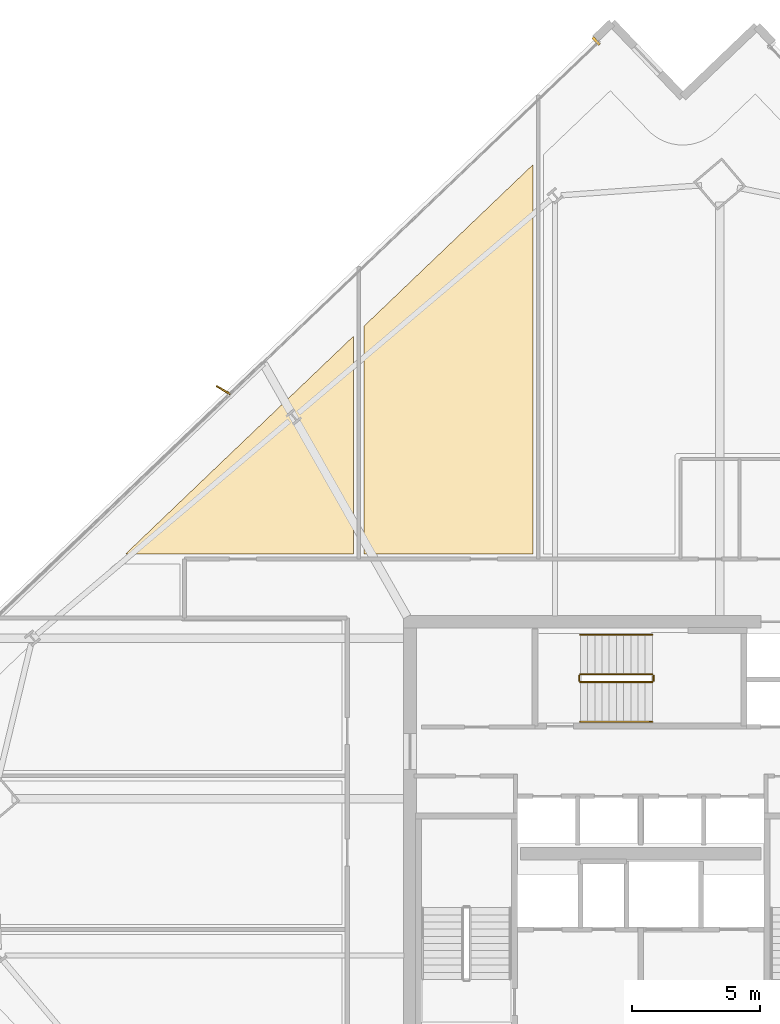
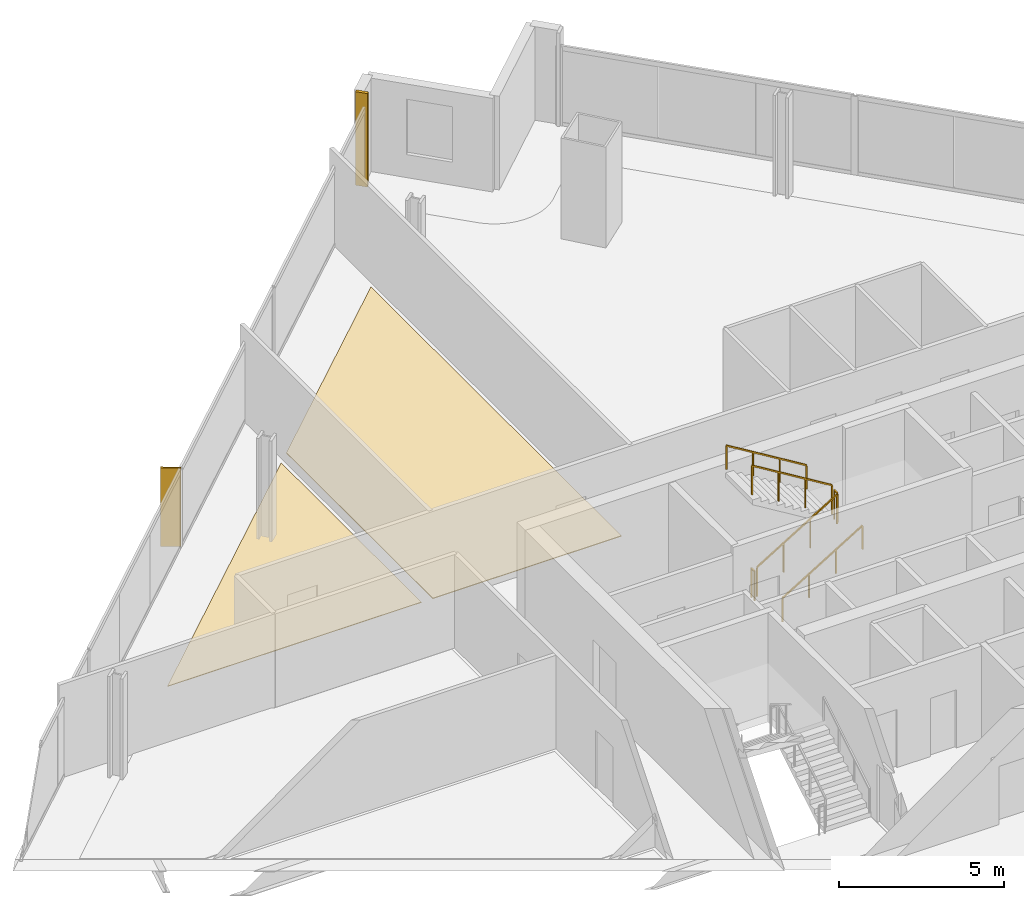
# One storey, part 32 of 33: 6 railings, 3 coverings, 1 shading device.
"""IFC4 building model written with IfcOpenShell, lengths in metres."""

from ifc_helpers import new_model, si_unit, direction, frame, origin, origin_2d, place, context, subcontext, project, spatial, polyline, rectangle, outline, extrude, source, transform, mapped, material, layer, layer_set, type_object, element, save


model = new_model("IFC4")

# Units and contexts
model_context = context("Model", 3, precision=1e-05, world=origin(), true_north=direction((0.0, 1.0)))
body_context = subcontext(model_context, "Body", "Model", "MODEL_VIEW")
ifc_project = project(units=[si_unit("LENGTHUNIT", "METRE"), si_unit("AREAUNIT", "SQUARE_METRE"), si_unit("VOLUMEUNIT", "CUBIC_METRE"), si_unit("PLANEANGLEUNIT", "RADIAN"), si_unit("MASSUNIT", "GRAM", prefix="KILO")], contexts=[model_context])

# Site, building, storey
site_placement = place(None, origin())
site = spatial("IfcSite", under=ifc_project, at=site_placement, CompositionType="ELEMENT")
building_placement = place(site_placement, origin())
building = spatial("IfcBuilding", under=site, at=building_placement, Name="Haldenkirk Collegiate Tower", CompositionType="ELEMENT")
storey_placement = place(building_placement, frame((0.0, 0.0, 174.449951171875)))
storey = spatial("IfcBuildingStorey", under=building, at=storey_placement, Name="L43", CompositionType="ELEMENT", Elevation=174.449951171875)

# Coverings
ifc_material_1 = material(Name="Polished collegiate terrazzo", Category="concrete")
ifc_layer_1 = layer(ifc_material_1, 0.02490234375)
ifc_layer_set_1 = layer_set([ifc_layer_1], Name="Polished collegiate terrazzo")
covering_type_1 = type_object("IfcCoveringType", Name="COV-FLOOR-TERRAZZO", PredefinedType="FLOORING", material=ifc_layer_set_1)
covering_1_placement = place(storey_placement, origin())
element("IfcCovering", 1, at=covering_1_placement, inside=storey, type_object=covering_type_1, Name="L43 academic room finish 06", PredefinedType="FLOORING", context=body_context, shape_type="SweptSolid", body=[
    extrude(outline(polyline([(31.800048828125, 51.835693359375), (31.800048828125, 36.64990234375), (25.199951171875, 36.64990234375), (25.199951171875, 45.528564453125), (31.800048828125, 51.835693359375)])), origin(), (0.0, 0.0, 1.0), 0.025146484375),
])
ifc_material_2 = material(Name="Engineered collegiate oak acoustic flooring", Category="wood")
ifc_layer_2 = layer(ifc_material_2, 0.02197265625)
ifc_layer_set_2 = layer_set([ifc_layer_2], Name="Engineered collegiate oak acoustic flooring")
covering_type_2 = type_object("IfcCoveringType", Name="COV-FLOOR-TIMBER", PredefinedType="FLOORING", material=ifc_layer_set_2)
covering_2_placement = place(storey_placement, origin())
element("IfcCovering", 2, at=covering_2_placement, inside=storey, type_object=covering_type_2, Name="L43 academic room finish 05", PredefinedType="FLOORING", context=body_context, shape_type="SweptSolid", body=[
    extrude(outline(polyline([(24.800048828125, 45.146240234375), (24.800048828125, 36.64990234375), (15.9091796875, 36.64990234375), (24.800048828125, 45.146240234375)])), origin(), (0.0, 0.0, 1.0), 0.02197265625),
])

# Railings
ifc_material_3 = material(Name="Painted architectural tubular steel", Category="steel")
railing_type_1 = type_object("IfcRailingType", Name="RLG-STAIR-GUARD-1100", PredefinedType="BALUSTRADE", material=ifc_material_3)
railing_1_placement = place(storey_placement, frame((33.64990234375, 31.64990234375, 0.17041015625)))
element("IfcRailing", 3, at=railing_1_placement, inside=storey, type_object=railing_type_1, Name="L43 ST-3 stair guard 1", PredefinedType="BALUSTRADE", context=body_context, shape_type="SweptSolid", body=[
    extrude(rectangle(XDim=0.048095703125, YDim=0.048095703125, at=origin_2d()), frame((0.0, 0.0, 1.076171875), z_axis=(0.854169791009, 0.0, 0.51999420009), x_axis=(0.0, 1.0, 0.0)), (0.0, 0.0, 1.0), 3.278076171875),
    extrude(rectangle(XDim=0.0419921875, YDim=0.0419921875, at=origin_2d()), origin(), (0.0, 0.0, 1.0), 1.052001953125),
    extrude(rectangle(XDim=0.0419921875, YDim=0.0419921875, at=origin_2d()), frame((0.933349609375, 0.0, 0.568115234375)), (0.0, 0.0, 1.0), 1.052001953125),
    extrude(rectangle(XDim=0.0419921875, YDim=0.0419921875, at=origin_2d()), frame((1.86669921875, 0.0, 1.136474609375)), (0.0, 0.0, 1.0), 1.052001953125),
    extrude(rectangle(XDim=0.0419921875, YDim=0.0419921875, at=origin_2d()), frame((2.800048828125, 0.0, 1.70458984375)), (0.0, 0.0, 1.0), 1.052001953125),
])
railing_2_placement = place(storey_placement, frame((36.5, 31.699951171875, 1.875)))
element("IfcRailing", 4, at=railing_2_placement, inside=storey, type_object=railing_type_1, Name="L43 ST-3 stair guard 2", PredefinedType="BALUSTRADE", context=body_context, shape_type="SweptSolid", body=[
    extrude(rectangle(XDim=0.048095703125, YDim=0.048095703125, at=origin_2d()), frame((0.0, 0.0, 1.076171875), z_axis=(0.0, 1.0, 0.0), x_axis=(-1.0, 0.0, 0.0)), (0.0, 0.0, 1.0), 0.199951171875),
    extrude(rectangle(XDim=0.0419921875, YDim=0.0419921875, at=origin_2d()), origin(), (0.0, 0.0, 1.0), 1.052001953125),
    extrude(rectangle(XDim=0.0419921875, YDim=0.0419921875, at=origin_2d()), frame((0.0, 0.199951171875, 0.0)), (0.0, 0.0, 1.0), 1.052001953125),
])
railing_3_placement = place(storey_placement, frame((36.449951171875, 31.949951171875, 2.04541015625)))
element("IfcRailing", 5, at=railing_3_placement, inside=storey, type_object=railing_type_1, Name="L43 ST-3 stair guard 3", PredefinedType="BALUSTRADE", context=body_context, shape_type="SweptSolid", body=[
    extrude(rectangle(XDim=0.048095703125, YDim=0.048095703125, at=origin_2d()), frame((0.0, 0.0, 1.076171875), z_axis=(-0.854169791009, 0.0, 0.51999420009), x_axis=(0.0, -1.0, 0.0)), (0.0, 0.0, 1.0), 3.278076171875),
    extrude(rectangle(XDim=0.0419921875, YDim=0.0419921875, at=origin_2d()), origin(), (0.0, 0.0, 1.0), 1.052001953125),
    extrude(rectangle(XDim=0.0419921875, YDim=0.0419921875, at=origin_2d()), frame((-0.933349609375, 0.0, 0.568115234375)), (0.0, 0.0, 1.0), 1.052001953125),
    extrude(rectangle(XDim=0.0419921875, YDim=0.0419921875, at=origin_2d()), frame((-1.86669921875, 0.0, 1.136474609375)), (0.0, 0.0, 1.0), 1.052001953125),
    extrude(rectangle(XDim=0.0419921875, YDim=0.0419921875, at=origin_2d()), frame((-2.800048828125, 0.0, 1.70458984375)), (0.0, 0.0, 1.0), 1.052001953125),
])
railing_4_placement = place(storey_placement, frame((33.60009765625, 31.699951171875, 0.0)))
element("IfcRailing", 6, at=railing_4_placement, inside=storey, type_object=railing_type_1, Name="L43 ST-3 stair guard 4", PredefinedType="BALUSTRADE", context=body_context, shape_type="SweptSolid", body=[
    extrude(rectangle(XDim=0.048095703125, YDim=0.048095703125, at=origin_2d()), frame((0.0, 0.0, 1.076171875), z_axis=(0.0, 1.0, 0.0), x_axis=(-1.0, 0.0, 0.0)), (0.0, 0.0, 1.0), 0.199951171875),
    extrude(rectangle(XDim=0.0419921875, YDim=0.0419921875, at=origin_2d()), origin(), (0.0, 0.0, 1.0), 1.052001953125),
    extrude(rectangle(XDim=0.0419921875, YDim=0.0419921875, at=origin_2d()), frame((0.0, 0.199951171875, 0.0)), (0.0, 0.0, 1.0), 1.052001953125),
])
railing_type_2 = type_object("IfcRailingType", Name="RLG-STAIR-HANDRAIL-900", PredefinedType="HANDRAIL", material=ifc_material_3)
railing_5_placement = place(storey_placement, frame((33.64990234375, 30.10009765625, 0.17041015625)))
element("IfcRailing", 7, at=railing_5_placement, inside=storey, type_object=railing_type_2, Name="L43 ST-3 stair handrail 1", PredefinedType="HANDRAIL", context=body_context, shape_type="SweptSolid", body=[
    extrude(rectangle(XDim=0.048095703125, YDim=0.048095703125, at=origin_2d()), frame((0.0, 0.0, 0.8759765625), z_axis=(0.854169791009, 0.0, 0.51999420009), x_axis=(0.0, 1.0, 0.0)), (0.0, 0.0, 1.0), 3.278076171875),
    extrude(rectangle(XDim=0.0419921875, YDim=0.0419921875, at=origin_2d()), origin(), (0.0, 0.0, 1.0), 0.851806640625),
    extrude(rectangle(XDim=0.0419921875, YDim=0.0419921875, at=origin_2d()), frame((0.933349609375, 0.0, 0.568115234375)), (0.0, 0.0, 1.0), 0.851806640625),
    extrude(rectangle(XDim=0.0419921875, YDim=0.0419921875, at=origin_2d()), frame((1.86669921875, 0.0, 1.136474609375)), (0.0, 0.0, 1.0), 0.851806640625),
    extrude(rectangle(XDim=0.0419921875, YDim=0.0419921875, at=origin_2d()), frame((2.800048828125, 0.0, 1.70458984375)), (0.0, 0.0, 1.0), 0.851806640625),
])
railing_6_placement = place(storey_placement, frame((36.449951171875, 33.5, 2.04541015625)))
element("IfcRailing", 8, at=railing_6_placement, inside=storey, type_object=railing_type_2, Name="L43 ST-3 stair handrail 2", PredefinedType="HANDRAIL", context=body_context, shape_type="SweptSolid", body=[
    extrude(rectangle(XDim=0.048095703125, YDim=0.048095703125, at=origin_2d()), frame((0.0, 0.0, 0.8759765625), z_axis=(-0.854169791009, 0.0, 0.51999420009), x_axis=(0.0, -1.0, 0.0)), (0.0, 0.0, 1.0), 3.278076171875),
    extrude(rectangle(XDim=0.0419921875, YDim=0.0419921875, at=origin_2d()), origin(), (0.0, 0.0, 1.0), 0.851806640625),
    extrude(rectangle(XDim=0.0419921875, YDim=0.0419921875, at=origin_2d()), frame((-0.933349609375, 0.0, 0.568115234375)), (0.0, 0.0, 1.0), 0.851806640625),
    extrude(rectangle(XDim=0.0419921875, YDim=0.0419921875, at=origin_2d()), frame((-1.86669921875, 0.0, 1.136474609375)), (0.0, 0.0, 1.0), 0.851806640625),
    extrude(rectangle(XDim=0.0419921875, YDim=0.0419921875, at=origin_2d()), frame((-2.800048828125, 0.0, 1.70458984375)), (0.0, 0.0, 1.0), 0.851806640625),
])

# Covering
ifc_material_4 = material(Name="Anodised architectural bronze aluminium", Category="aluminium")
ifc_layer_3 = layer(ifc_material_4, 0.06005859375)
ifc_layer_set_3 = layer_set([ifc_layer_3], Name="Anodised architectural bronze aluminium")
covering_type_3 = type_object("IfcCoveringType", Name="COV-CLAD-BRONZE-60", PredefinedType="CLADDING", material=ifc_layer_set_3)
shared_shape_1 = source(origin(), body_context, "Body", "SweptSolid", [
    extrude(rectangle(XDim=0.10009765625, YDim=0.3798828125, at=origin_2d()), origin(), (0.0, 0.0, 1.0), 3.4599609375),
])
covering_3_placement = place(storey_placement, frame((34.262451171875, 56.65087890625, 0.0), z_axis=(0.0, 0.0, 1.0), x_axis=(0.72296714591, 0.690882411077, 0.0)))
element("IfcCovering", 9, at=covering_3_placement, inside=storey, type_object=covering_type_3, Name="L43 recessed curtain-wall bronze jamb closure NJR", PredefinedType="CLADDING", context=body_context, shape_type="MappedRepresentation", body=[
    mapped(shared_shape_1, transform((0.0, 0.0, 0.0), x_axis=(1.0, 0.0, 0.0), y_axis=(0.0, 1.0, 0.0), z_axis=(0.0, 0.0, 1.0), scale=1.0)),
])

# Shading device
ifc_layer_4 = layer(ifc_material_4, 0.06494140625)
ifc_layer_set_4 = layer_set([ifc_layer_4], Name="Anodised architectural bronze aluminium")
shading_device_type = type_object("IfcShadingDeviceType", Name="SHD-FIN-BRONZE-620", PredefinedType="USERDEFINED", material=ifc_layer_set_4)
shared_shape_2 = source(origin(), body_context, "Body", "SweptSolid", [
    extrude(rectangle(XDim=0.6201171875, YDim=0.06494140625, at=origin_2d()), origin(), (0.0, 0.0, 1.0), 2.910888671875),
])
shading_device_placement = place(storey_placement, frame((19.719482421875, 43.036865234375, 0.0), z_axis=(0.0, 0.0, 1.0), x_axis=(-0.863395550607, 0.504527623815, 0.0)))
element("IfcShadingDevice", 10, at=shading_device_placement, inside=storey, type_object=shading_device_type, Name="L43 folded bronze solar fin 1", ObjectType="FIN", PredefinedType="USERDEFINED", context=body_context, shape_type="MappedRepresentation", body=[
    mapped(shared_shape_2, transform((0.0, 0.0, 0.0), x_axis=(1.0, 0.0, 0.0), y_axis=(0.0, 1.0, 0.0), z_axis=(0.0, 0.0, 1.0), scale=1.0)),
])

save(model, "model.ifc")
